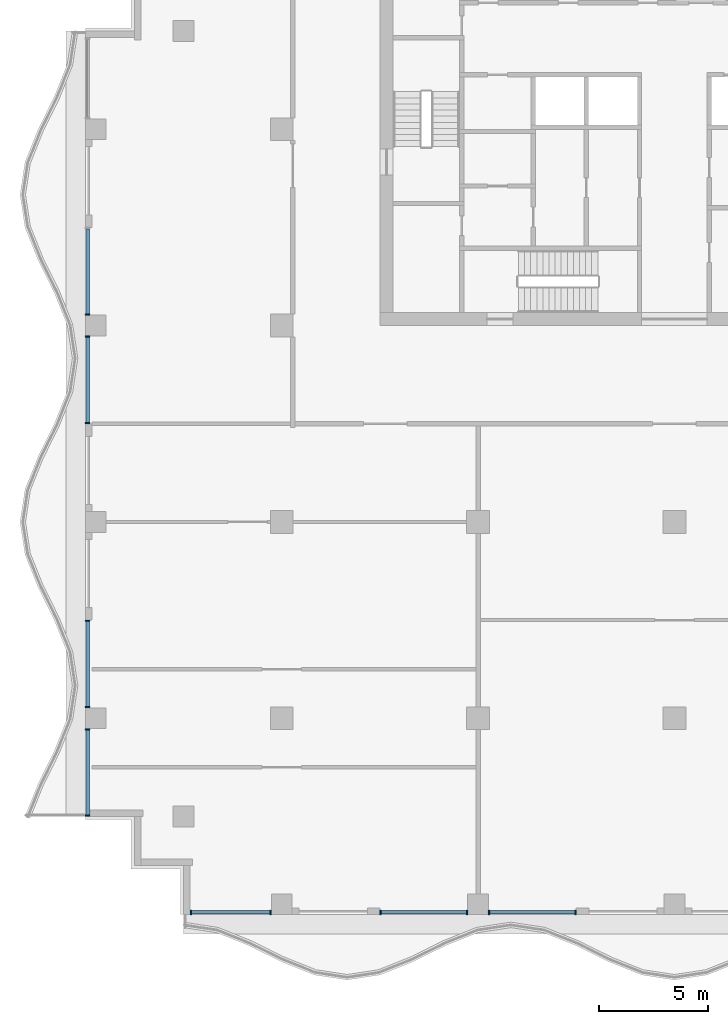
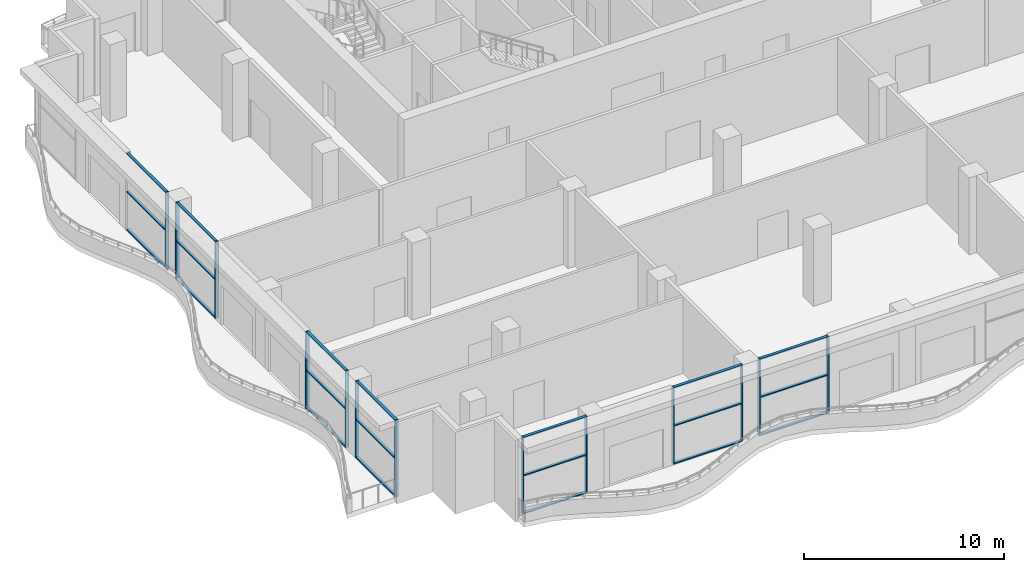
# One storey, part 2 of 15: 34 members, 7 elements without a shape of their own.
"""IFC4 building model written with IfcOpenShell, lengths in metres."""

from ifc_helpers import new_model, si_unit, direction, frame, origin, origin_2d, place, context, subcontext, project, spatial, rectangle, extrude, material, material_profile, profile_set, type_object, element, aggregate, save


model = new_model("IFC4")

# Units and contexts
model_context = context("Model", 3, precision=1e-05, world=origin(), true_north=direction((0.0, 1.0)))
body_context = subcontext(model_context, "Body", "Model", "MODEL_VIEW")
ifc_project = project(units=[si_unit("LENGTHUNIT", "METRE"), si_unit("AREAUNIT", "SQUARE_METRE"), si_unit("VOLUMEUNIT", "CUBIC_METRE"), si_unit("PLANEANGLEUNIT", "RADIAN"), si_unit("MASSUNIT", "GRAM", prefix="KILO")], contexts=[model_context])

# Site, building, storey
site_placement = place(None, origin())
site = spatial("IfcSite", under=ifc_project, at=site_placement, CompositionType="ELEMENT")
building_placement = place(site_placement, origin())
building = spatial("IfcBuilding", under=site, at=building_placement, Name="Orbiselva Terraces", CompositionType="ELEMENT")
storey_placement = place(building_placement, frame((0.0, 0.0, 233.8)))
storey = spatial("IfcBuildingStorey", under=building, at=storey_placement, Name="L59", CompositionType="ELEMENT", Elevation=233.8)

# Curtain wall, members
ifc_material_1 = material(Name="Clear low-e glazing in aluminium frame", Category="aluminium")
curtain_wall_type = type_object("IfcCurtainWallType", Name="ENV-CW-SKY", PredefinedType="NOTDEFINED", material=ifc_material_1)
curtain_wall_1_placement = place(storey_placement, origin())
curtain_wall_1 = element("IfcCurtainWall", 1, at=curtain_wall_1_placement, inside=storey, type_object=curtain_wall_type, Name="Curtain wall L59 S", PredefinedType="NOTDEFINED")
ifc_material_2 = material(Name="Anodised aluminium", Category="aluminium")
ifc_material_profile_1 = material_profile(ifc_material_2, rectangle(XDim=0.2, YDim=0.065, at=origin_2d()), Name="AL 65x200")
ifc_profile_set_1 = profile_set([ifc_material_profile_1], Name="Anodised aluminium")
member_type_1 = type_object("IfcMemberType", Name="ENV-CW-SKY-MULLION-65x200", PredefinedType="MULLION", material=ifc_profile_set_1)
member_1_placement = place(storey_placement, frame((-22.1675, -22.4, 0.0), z_axis=(0.0, 0.0, 1.0), x_axis=(0.0, 1.0, 0.0)))
member_1 = element("IfcMember", 2, at=member_1_placement, type_object=member_type_1, Name="CW3 mullion 1", PredefinedType="MULLION", context=body_context, shape_type="SweptSolid", body=[
    extrude(rectangle(XDim=0.2, YDim=0.065, at=origin_2d()), origin(), (0.0, 0.0, 1.0), 4.7),
])
member_2_placement = place(storey_placement, frame((-18.5075, -22.4, 0.0), z_axis=(0.0, 0.0, 1.0), x_axis=(0.0, 1.0, 0.0)))
member_2 = element("IfcMember", 3, at=member_2_placement, type_object=member_type_1, Name="CW3 mullion 2", PredefinedType="MULLION", context=body_context, shape_type="SweptSolid", body=[
    extrude(rectangle(XDim=0.2, YDim=0.065, at=origin_2d()), origin(), (0.0, 0.0, 1.0), 4.7),
])

curtain_wall_2_placement = place(storey_placement, origin())
curtain_wall_2 = element("IfcCurtainWall", 4, at=curtain_wall_2_placement, inside=storey, type_object=curtain_wall_type, Name="Curtain wall L59 S", PredefinedType="NOTDEFINED")
member_3_placement = place(storey_placement, frame((-13.4675, -22.4, 0.0), z_axis=(0.0, 0.0, 1.0), x_axis=(0.0, 1.0, 0.0)))
member_3 = element("IfcMember", 5, at=member_3_placement, type_object=member_type_1, Name="CW3 mullion 1", PredefinedType="MULLION", context=body_context, shape_type="SweptSolid", body=[
    extrude(rectangle(XDim=0.2, YDim=0.065, at=origin_2d()), origin(), (0.0, 0.0, 1.0), 4.7),
])
member_4_placement = place(storey_placement, frame((-9.5075, -22.4, 0.0), z_axis=(0.0, 0.0, 1.0), x_axis=(0.0, 1.0, 0.0)))
member_4 = element("IfcMember", 6, at=member_4_placement, type_object=member_type_1, Name="CW3 mullion 2", PredefinedType="MULLION", context=body_context, shape_type="SweptSolid", body=[
    extrude(rectangle(XDim=0.2, YDim=0.065, at=origin_2d()), origin(), (0.0, 0.0, 1.0), 4.7),
])

curtain_wall_3_placement = place(storey_placement, origin())
curtain_wall_3 = element("IfcCurtainWall", 7, at=curtain_wall_3_placement, inside=storey, type_object=curtain_wall_type, Name="Curtain wall L59 S", PredefinedType="NOTDEFINED")
member_5_placement = place(storey_placement, frame((-8.4925, -22.4, 0.0), z_axis=(0.0, 0.0, 1.0), x_axis=(0.0, 1.0, 0.0)))
member_5 = element("IfcMember", 8, at=member_5_placement, type_object=member_type_1, Name="CW3 mullion 1", PredefinedType="MULLION", context=body_context, shape_type="SweptSolid", body=[
    extrude(rectangle(XDim=0.2, YDim=0.065, at=origin_2d()), origin(), (0.0, 0.0, 1.0), 4.7),
])
member_6_placement = place(storey_placement, frame((-4.5325, -22.4, 0.0), z_axis=(0.0, 0.0, 1.0), x_axis=(0.0, 1.0, 0.0)))
member_6 = element("IfcMember", 9, at=member_6_placement, type_object=member_type_1, Name="CW3 mullion 2", PredefinedType="MULLION", context=body_context, shape_type="SweptSolid", body=[
    extrude(rectangle(XDim=0.2, YDim=0.065, at=origin_2d()), origin(), (0.0, 0.0, 1.0), 4.7),
])

# Curtain wall, member
curtain_wall_4_placement = place(storey_placement, origin())
curtain_wall_4 = element("IfcCurtainWall", 10, at=curtain_wall_4_placement, inside=storey, type_object=curtain_wall_type, Name="Curtain wall L59 W", PredefinedType="NOTDEFINED")
member_7_placement = place(storey_placement, frame((-26.9, 5.0075, 0.0), z_axis=(0.0, 0.0, 1.0), x_axis=(1.0, 0.0, 0.0)))
member_7 = element("IfcMember", 11, at=member_7_placement, type_object=member_type_1, Name="CW3 mullion 2", PredefinedType="MULLION", context=body_context, shape_type="SweptSolid", body=[
    extrude(rectangle(XDim=0.2, YDim=0.065, at=origin_2d()), origin(), (0.0, 0.0, 1.0), 4.7),
])

# Curtain wall, members
curtain_wall_5_placement = place(storey_placement, origin())
curtain_wall_5 = element("IfcCurtainWall", 12, at=curtain_wall_5_placement, inside=storey, type_object=curtain_wall_type, Name="Curtain wall L59 W", PredefinedType="NOTDEFINED")
member_8_placement = place(storey_placement, frame((-26.9, 3.9925, 0.0), z_axis=(0.0, 0.0, 1.0), x_axis=(1.0, 0.0, 0.0)))
member_8 = element("IfcMember", 13, at=member_8_placement, type_object=member_type_1, Name="CW3 mullion 1", PredefinedType="MULLION", context=body_context, shape_type="SweptSolid", body=[
    extrude(rectangle(XDim=0.2, YDim=0.065, at=origin_2d()), origin(), (0.0, 0.0, 1.0), 4.7),
])
member_9_placement = place(storey_placement, frame((-26.9, 0.0325, 0.0), z_axis=(0.0, 0.0, 1.0), x_axis=(1.0, 0.0, 0.0)))
member_9 = element("IfcMember", 14, at=member_9_placement, type_object=member_type_1, Name="CW3 mullion 2", PredefinedType="MULLION", context=body_context, shape_type="SweptSolid", body=[
    extrude(rectangle(XDim=0.2, YDim=0.065, at=origin_2d()), origin(), (0.0, 0.0, 1.0), 4.7),
])

curtain_wall_6_placement = place(storey_placement, origin())
curtain_wall_6 = element("IfcCurtainWall", 15, at=curtain_wall_6_placement, inside=storey, type_object=curtain_wall_type, Name="Curtain wall L59 W", PredefinedType="NOTDEFINED")
member_10_placement = place(storey_placement, frame((-26.9, -9.0325, 0.0), z_axis=(0.0, 0.0, 1.0), x_axis=(1.0, 0.0, 0.0)))
member_10 = element("IfcMember", 16, at=member_10_placement, type_object=member_type_1, Name="CW3 mullion 1", PredefinedType="MULLION", context=body_context, shape_type="SweptSolid", body=[
    extrude(rectangle(XDim=0.2, YDim=0.065, at=origin_2d()), origin(), (0.0, 0.0, 1.0), 4.7),
])
member_11_placement = place(storey_placement, frame((-26.9, -12.9925, 0.0), z_axis=(0.0, 0.0, 1.0), x_axis=(1.0, 0.0, 0.0)))
member_11 = element("IfcMember", 17, at=member_11_placement, type_object=member_type_1, Name="CW3 mullion 2", PredefinedType="MULLION", context=body_context, shape_type="SweptSolid", body=[
    extrude(rectangle(XDim=0.2, YDim=0.065, at=origin_2d()), origin(), (0.0, 0.0, 1.0), 4.7),
])

curtain_wall_7_placement = place(storey_placement, origin())
curtain_wall_7 = element("IfcCurtainWall", 18, at=curtain_wall_7_placement, inside=storey, type_object=curtain_wall_type, Name="Curtain wall L59 W", PredefinedType="NOTDEFINED")
member_12_placement = place(storey_placement, frame((-26.9, -14.0075, 0.0), z_axis=(0.0, 0.0, 1.0), x_axis=(1.0, 0.0, 0.0)))
member_12 = element("IfcMember", 19, at=member_12_placement, type_object=member_type_1, Name="CW3 mullion 1", PredefinedType="MULLION", context=body_context, shape_type="SweptSolid", body=[
    extrude(rectangle(XDim=0.2, YDim=0.065, at=origin_2d()), origin(), (0.0, 0.0, 1.0), 4.7),
])
member_13_placement = place(storey_placement, frame((-26.9, -17.9675, 0.0), z_axis=(0.0, 0.0, 1.0), x_axis=(1.0, 0.0, 0.0)))
member_13 = element("IfcMember", 20, at=member_13_placement, type_object=member_type_1, Name="CW3 mullion 2", PredefinedType="MULLION", context=body_context, shape_type="SweptSolid", body=[
    extrude(rectangle(XDim=0.2, YDim=0.065, at=origin_2d()), origin(), (0.0, 0.0, 1.0), 4.7),
])

# Member
ifc_material_profile_2 = material_profile(ifc_material_2, rectangle(XDim=0.16, YDim=0.065, at=origin_2d()), Name="AL 65x160")
ifc_profile_set_2 = profile_set([ifc_material_profile_2], Name="Anodised aluminium")
member_type_2 = type_object("IfcMemberType", Name="ENV-CW-SKY-TRANSOM-65x160", PredefinedType="USERDEFINED", material=ifc_profile_set_2)
member_14_placement = place(storey_placement, frame((-22.135, -22.4, 0.0325), z_axis=(1.0, 0.0, 0.0), x_axis=(0.0, 1.0, 0.0)))
member_14 = element("IfcMember", 21, at=member_14_placement, type_object=member_type_2, Name="CW3 transom 1.1", ObjectType="TRANSOM", PredefinedType="USERDEFINED", context=body_context, shape_type="SweptSolid", body=[
    extrude(rectangle(XDim=0.16, YDim=0.065, at=origin_2d()), origin(), (0.0, 0.0, 1.0), 3.595),
])

member_15_placement = place(storey_placement, frame((-22.135, -22.4, 2.35), z_axis=(1.0, 0.0, 0.0), x_axis=(0.0, 1.0, 0.0)))
member_15 = element("IfcMember", 22, at=member_15_placement, type_object=member_type_2, Name="CW3 transom 1.2", ObjectType="TRANSOM", PredefinedType="USERDEFINED", context=body_context, shape_type="SweptSolid", body=[
    extrude(rectangle(XDim=0.16, YDim=0.065, at=origin_2d()), origin(), (0.0, 0.0, 1.0), 3.595),
])

member_16_placement = place(storey_placement, frame((-22.135, -22.4, 4.6675), z_axis=(1.0, 0.0, 0.0), x_axis=(0.0, 1.0, 0.0)))
member_16 = element("IfcMember", 23, at=member_16_placement, type_object=member_type_2, Name="CW3 transom 1.3", ObjectType="TRANSOM", PredefinedType="USERDEFINED", context=body_context, shape_type="SweptSolid", body=[
    extrude(rectangle(XDim=0.16, YDim=0.065, at=origin_2d()), origin(), (0.0, 0.0, 1.0), 3.595),
])

aggregate(curtain_wall_1, [member_1, member_2, member_14, member_15, member_16])

member_17_placement = place(storey_placement, frame((-13.435, -22.4, 0.0325), z_axis=(1.0, 0.0, 0.0), x_axis=(0.0, 1.0, 0.0)))
member_17 = element("IfcMember", 24, at=member_17_placement, type_object=member_type_2, Name="CW3 transom 1.1", ObjectType="TRANSOM", PredefinedType="USERDEFINED", context=body_context, shape_type="SweptSolid", body=[
    extrude(rectangle(XDim=0.16, YDim=0.065, at=origin_2d()), origin(), (0.0, 0.0, 1.0), 3.895),
])

member_18_placement = place(storey_placement, frame((-13.435, -22.4, 2.35), z_axis=(1.0, 0.0, 0.0), x_axis=(0.0, 1.0, 0.0)))
member_18 = element("IfcMember", 25, at=member_18_placement, type_object=member_type_2, Name="CW3 transom 1.2", ObjectType="TRANSOM", PredefinedType="USERDEFINED", context=body_context, shape_type="SweptSolid", body=[
    extrude(rectangle(XDim=0.16, YDim=0.065, at=origin_2d()), origin(), (0.0, 0.0, 1.0), 3.895),
])

member_19_placement = place(storey_placement, frame((-13.435, -22.4, 4.6675), z_axis=(1.0, 0.0, 0.0), x_axis=(0.0, 1.0, 0.0)))
member_19 = element("IfcMember", 26, at=member_19_placement, type_object=member_type_2, Name="CW3 transom 1.3", ObjectType="TRANSOM", PredefinedType="USERDEFINED", context=body_context, shape_type="SweptSolid", body=[
    extrude(rectangle(XDim=0.16, YDim=0.065, at=origin_2d()), origin(), (0.0, 0.0, 1.0), 3.895),
])

aggregate(curtain_wall_2, [member_3, member_4, member_17, member_18, member_19])

member_20_placement = place(storey_placement, frame((-8.46, -22.4, 0.0325), z_axis=(1.0, 0.0, 0.0), x_axis=(0.0, 1.0, 0.0)))
member_20 = element("IfcMember", 27, at=member_20_placement, type_object=member_type_2, Name="CW3 transom 1.1", ObjectType="TRANSOM", PredefinedType="USERDEFINED", context=body_context, shape_type="SweptSolid", body=[
    extrude(rectangle(XDim=0.16, YDim=0.065, at=origin_2d()), origin(), (0.0, 0.0, 1.0), 3.895),
])

member_21_placement = place(storey_placement, frame((-8.46, -22.4, 2.35), z_axis=(1.0, 0.0, 0.0), x_axis=(0.0, 1.0, 0.0)))
member_21 = element("IfcMember", 28, at=member_21_placement, type_object=member_type_2, Name="CW3 transom 1.2", ObjectType="TRANSOM", PredefinedType="USERDEFINED", context=body_context, shape_type="SweptSolid", body=[
    extrude(rectangle(XDim=0.16, YDim=0.065, at=origin_2d()), origin(), (0.0, 0.0, 1.0), 3.895),
])

member_22_placement = place(storey_placement, frame((-8.46, -22.4, 4.6675), z_axis=(1.0, 0.0, 0.0), x_axis=(0.0, 1.0, 0.0)))
member_22 = element("IfcMember", 29, at=member_22_placement, type_object=member_type_2, Name="CW3 transom 1.3", ObjectType="TRANSOM", PredefinedType="USERDEFINED", context=body_context, shape_type="SweptSolid", body=[
    extrude(rectangle(XDim=0.16, YDim=0.065, at=origin_2d()), origin(), (0.0, 0.0, 1.0), 3.895),
])

aggregate(curtain_wall_3, [member_5, member_6, member_20, member_21, member_22])

member_23_placement = place(storey_placement, frame((-26.9, 8.935, 0.0325), z_axis=(0.0, -1.0, 0.0), x_axis=(1.0, 0.0, 0.0)))
member_23 = element("IfcMember", 30, at=member_23_placement, type_object=member_type_2, Name="CW3 transom 1.1", ObjectType="TRANSOM", PredefinedType="USERDEFINED", context=body_context, shape_type="SweptSolid", body=[
    extrude(rectangle(XDim=0.16, YDim=0.065, at=origin_2d()), origin(), (0.0, 0.0, 1.0), 3.895),
])

member_24_placement = place(storey_placement, frame((-26.9, 8.935, 2.35), z_axis=(0.0, -1.0, 0.0), x_axis=(1.0, 0.0, 0.0)))
member_24 = element("IfcMember", 31, at=member_24_placement, type_object=member_type_2, Name="CW3 transom 1.2", ObjectType="TRANSOM", PredefinedType="USERDEFINED", context=body_context, shape_type="SweptSolid", body=[
    extrude(rectangle(XDim=0.16, YDim=0.065, at=origin_2d()), origin(), (0.0, 0.0, 1.0), 3.895),
])

member_25_placement = place(storey_placement, frame((-26.9, 8.935, 4.6675), z_axis=(0.0, -1.0, 0.0), x_axis=(1.0, 0.0, 0.0)))
member_25 = element("IfcMember", 32, at=member_25_placement, type_object=member_type_2, Name="CW3 transom 1.3", ObjectType="TRANSOM", PredefinedType="USERDEFINED", context=body_context, shape_type="SweptSolid", body=[
    extrude(rectangle(XDim=0.16, YDim=0.065, at=origin_2d()), origin(), (0.0, 0.0, 1.0), 3.895),
])

aggregate(curtain_wall_4, [member_7, member_23, member_24, member_25])

member_26_placement = place(storey_placement, frame((-26.9, 3.96, 0.0325), z_axis=(0.0, -1.0, 0.0), x_axis=(1.0, 0.0, 0.0)))
member_26 = element("IfcMember", 33, at=member_26_placement, type_object=member_type_2, Name="CW3 transom 1.1", ObjectType="TRANSOM", PredefinedType="USERDEFINED", context=body_context, shape_type="SweptSolid", body=[
    extrude(rectangle(XDim=0.16, YDim=0.065, at=origin_2d()), origin(), (0.0, 0.0, 1.0), 3.895),
])

member_27_placement = place(storey_placement, frame((-26.9, 3.96, 2.35), z_axis=(0.0, -1.0, 0.0), x_axis=(1.0, 0.0, 0.0)))
member_27 = element("IfcMember", 34, at=member_27_placement, type_object=member_type_2, Name="CW3 transom 1.2", ObjectType="TRANSOM", PredefinedType="USERDEFINED", context=body_context, shape_type="SweptSolid", body=[
    extrude(rectangle(XDim=0.16, YDim=0.065, at=origin_2d()), origin(), (0.0, 0.0, 1.0), 3.895),
])

member_28_placement = place(storey_placement, frame((-26.9, 3.96, 4.6675), z_axis=(0.0, -1.0, 0.0), x_axis=(1.0, 0.0, 0.0)))
member_28 = element("IfcMember", 35, at=member_28_placement, type_object=member_type_2, Name="CW3 transom 1.3", ObjectType="TRANSOM", PredefinedType="USERDEFINED", context=body_context, shape_type="SweptSolid", body=[
    extrude(rectangle(XDim=0.16, YDim=0.065, at=origin_2d()), origin(), (0.0, 0.0, 1.0), 3.895),
])

aggregate(curtain_wall_5, [member_8, member_9, member_26, member_27, member_28])

member_29_placement = place(storey_placement, frame((-26.9, -9.065, 0.0325), z_axis=(0.0, -1.0, 0.0), x_axis=(1.0, 0.0, 0.0)))
member_29 = element("IfcMember", 36, at=member_29_placement, type_object=member_type_2, Name="CW3 transom 1.1", ObjectType="TRANSOM", PredefinedType="USERDEFINED", context=body_context, shape_type="SweptSolid", body=[
    extrude(rectangle(XDim=0.16, YDim=0.065, at=origin_2d()), origin(), (0.0, 0.0, 1.0), 3.895),
])

member_30_placement = place(storey_placement, frame((-26.9, -9.065, 2.35), z_axis=(0.0, -1.0, 0.0), x_axis=(1.0, 0.0, 0.0)))
member_30 = element("IfcMember", 37, at=member_30_placement, type_object=member_type_2, Name="CW3 transom 1.2", ObjectType="TRANSOM", PredefinedType="USERDEFINED", context=body_context, shape_type="SweptSolid", body=[
    extrude(rectangle(XDim=0.16, YDim=0.065, at=origin_2d()), origin(), (0.0, 0.0, 1.0), 3.895),
])

member_31_placement = place(storey_placement, frame((-26.9, -9.065, 4.6675), z_axis=(0.0, -1.0, 0.0), x_axis=(1.0, 0.0, 0.0)))
member_31 = element("IfcMember", 38, at=member_31_placement, type_object=member_type_2, Name="CW3 transom 1.3", ObjectType="TRANSOM", PredefinedType="USERDEFINED", context=body_context, shape_type="SweptSolid", body=[
    extrude(rectangle(XDim=0.16, YDim=0.065, at=origin_2d()), origin(), (0.0, 0.0, 1.0), 3.895),
])

aggregate(curtain_wall_6, [member_10, member_11, member_29, member_30, member_31])

member_32_placement = place(storey_placement, frame((-26.9, -14.04, 0.0325), z_axis=(0.0, -1.0, 0.0), x_axis=(1.0, 0.0, 0.0)))
member_32 = element("IfcMember", 39, at=member_32_placement, type_object=member_type_2, Name="CW3 transom 1.1", ObjectType="TRANSOM", PredefinedType="USERDEFINED", context=body_context, shape_type="SweptSolid", body=[
    extrude(rectangle(XDim=0.16, YDim=0.065, at=origin_2d()), origin(), (0.0, 0.0, 1.0), 3.895),
])

member_33_placement = place(storey_placement, frame((-26.9, -14.04, 2.35), z_axis=(0.0, -1.0, 0.0), x_axis=(1.0, 0.0, 0.0)))
member_33 = element("IfcMember", 40, at=member_33_placement, type_object=member_type_2, Name="CW3 transom 1.2", ObjectType="TRANSOM", PredefinedType="USERDEFINED", context=body_context, shape_type="SweptSolid", body=[
    extrude(rectangle(XDim=0.16, YDim=0.065, at=origin_2d()), origin(), (0.0, 0.0, 1.0), 3.895),
])

member_34_placement = place(storey_placement, frame((-26.9, -14.04, 4.6675), z_axis=(0.0, -1.0, 0.0), x_axis=(1.0, 0.0, 0.0)))
member_34 = element("IfcMember", 41, at=member_34_placement, type_object=member_type_2, Name="CW3 transom 1.3", ObjectType="TRANSOM", PredefinedType="USERDEFINED", context=body_context, shape_type="SweptSolid", body=[
    extrude(rectangle(XDim=0.16, YDim=0.065, at=origin_2d()), origin(), (0.0, 0.0, 1.0), 3.895),
])

aggregate(curtain_wall_7, [member_12, member_13, member_32, member_33, member_34])

save(model, "model.ifc")
